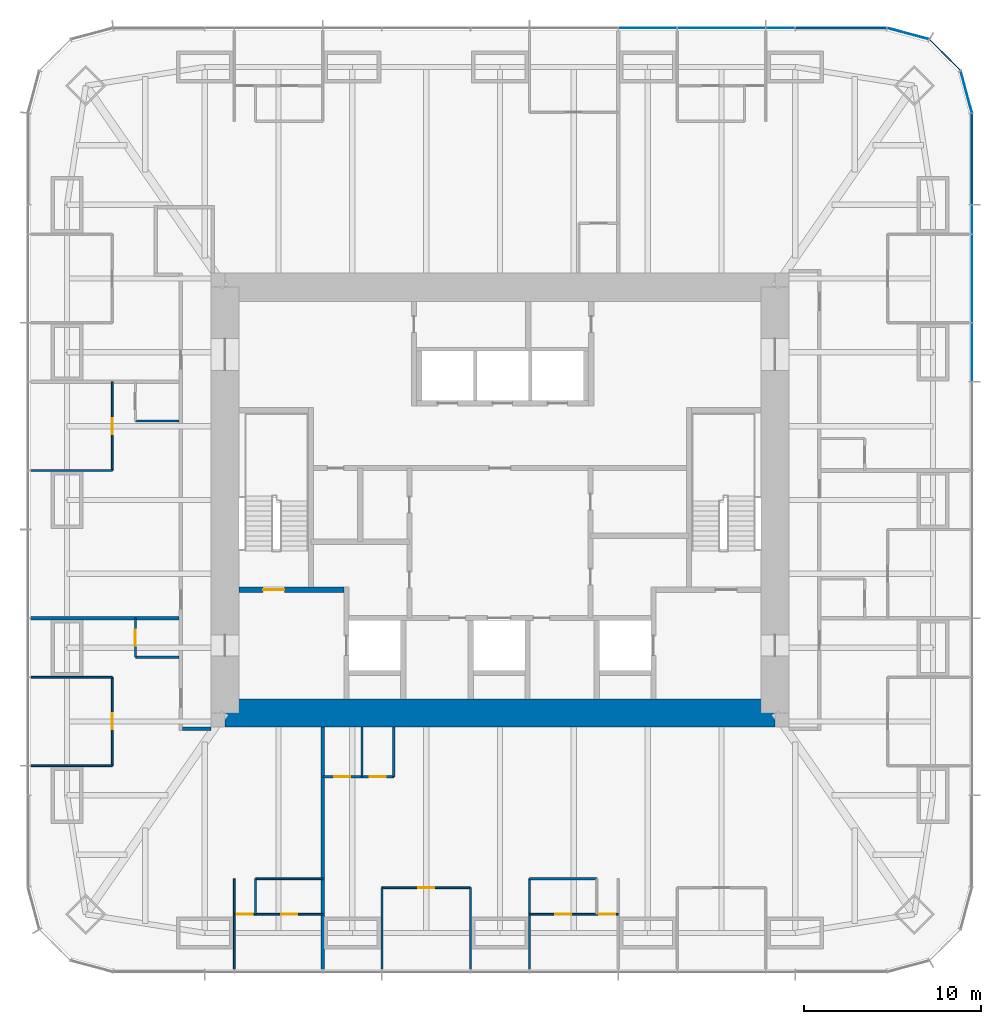
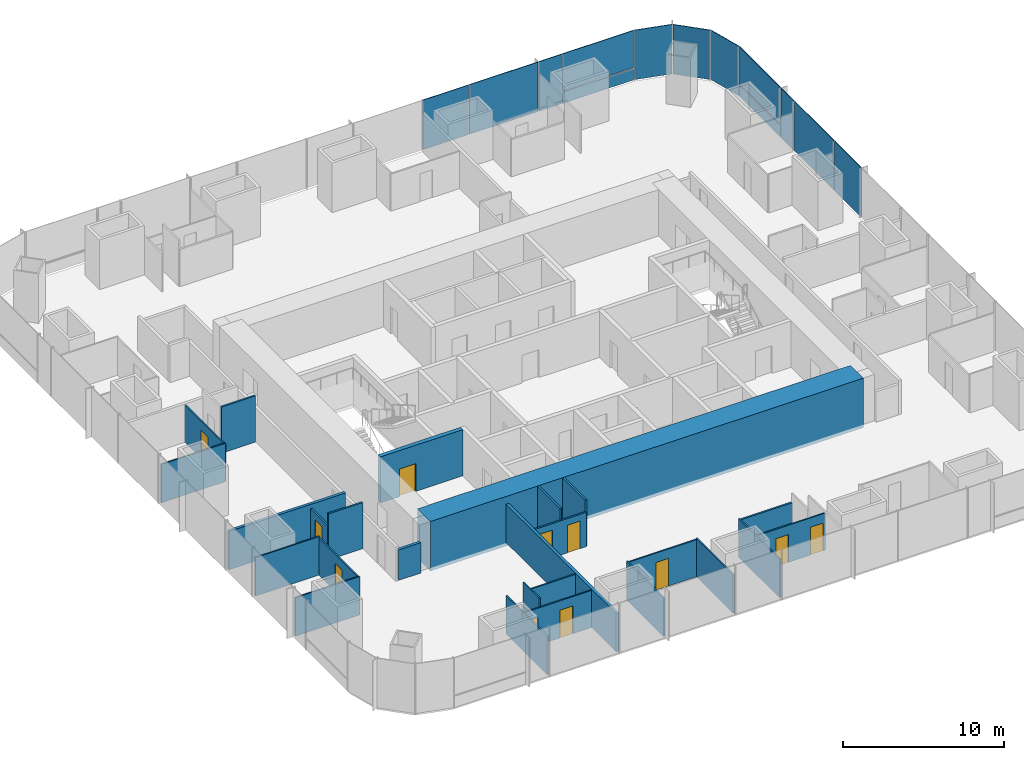
# One storey, part 8 of 12: 26 walls, 13 plates, 11 doors, 11 openings, 3 elements without a shape of their own.
"""IFC4 building model written with IfcOpenShell, lengths in metres."""

import ifcopenshell
import ifcopenshell.guid

model = None  # the IFC model being written
_history = None  # IfcOwnerHistory: only IFC2X3 demands one
_inside = {}  # id of a spatial element -> (the spatial element, [elements in it])
_under = {}  # id of a project, library or spatial element -> (it, [spatial elements below it])
_declared = {}  # id of a project -> (the project, [libraries it declares])
_typed = {}  # id of a type object -> (the type object, [elements of that type])
_made_of = {}  # id of a material, layer set ... -> (it, [elements and type objects made of it])


def new_model(schema):
    """Start an empty IFC model of exactly this schema.

    Asked for "IFC4X3", IfcOpenShell would pick the latest addendum, in which some entities
    have other attributes; the version numbers below select the first issue.
    IFC2X3 requires an IfcOwnerHistory on every rooted entity: one is made here for all.
    """
    global model, _history
    if schema == "IFC4X3":
        model = ifcopenshell.file(schema_version=(4, 3, 0, 0))
    else:
        model = ifcopenshell.file(schema=schema)
    _inside.clear()
    _under.clear()
    _declared.clear()
    _typed.clear()
    _made_of.clear()
    _history = None
    if model.schema == "IFC2X3":
        org = make("IfcOrganization", Name="unknown")
        user = make(
            "IfcPersonAndOrganization",
            ThePerson=make("IfcPerson", FamilyName="unknown"),
            TheOrganization=org,
        )
        app = make(
            "IfcApplication",
            ApplicationDeveloper=org,
            Version="unknown",
            ApplicationFullName="unknown",
            ApplicationIdentifier="unknown",
        )
        _history = make(
            "IfcOwnerHistory",
            OwningUser=user,
            OwningApplication=app,
            ChangeAction="ADDED",
            CreationDate=0,
        )
    return model


def make(cls, **values):
    """One entity of the class cls with the attributes given. An attribute that is None is left unset."""
    return model.create_entity(
        cls, **{name: value for name, value in values.items() if value is not None}
    )


def rooted(cls, **values):
    """An entity with a GlobalId (a new one), such as an element, a storey or a relation."""
    return make(cls, GlobalId=ifcopenshell.guid.new(), OwnerHistory=_history, **values)


def si_unit(unit_type, name, prefix=None):
    """IfcSIUnit, for example si_unit("LENGTHUNIT", "METRE", prefix="MILLI")."""
    return make("IfcSIUnit", UnitType=unit_type, Prefix=prefix, Name=name)


def assignment(units):
    """IfcUnitAssignment: the units of a project."""
    return None if units is None else make("IfcUnitAssignment", Units=units)


def point(xyz):
    """IfcCartesianPoint."""
    return None if xyz is None else make("IfcCartesianPoint", Coordinates=xyz)


def direction(xyz):
    """IfcDirection."""
    return None if xyz is None else make("IfcDirection", DirectionRatios=xyz)


def frame(location, z_axis=None, x_axis=None):
    """IfcAxis2Placement3D, a coordinate frame: its origin and axes. An axis left out is left unset."""
    return make(
        "IfcAxis2Placement3D",
        Location=point(location),
        Axis=direction(z_axis),
        RefDirection=direction(x_axis),
    )


def frame_2d(location, x_axis=None):
    """IfcAxis2Placement2D, a coordinate frame in the plane: its origin and x axis."""
    return make(
        "IfcAxis2Placement2D", Location=point(location), RefDirection=direction(x_axis)
    )


def origin():
    """The frame at (0, 0, 0) with its axes left unset."""
    return frame((0.0, 0.0, 0.0))


def origin_2d():
    """The frame at (0, 0) in the plane with its x axis left unset."""
    return frame_2d((0.0, 0.0))


def place(relative_to, where):
    """IfcLocalPlacement: puts the frame where relative to a parent placement (None: the world)."""
    return make(
        "IfcLocalPlacement", PlacementRelTo=relative_to, RelativePlacement=where
    )


def context(
    kind, dimensions, precision=None, world=None, true_north=None, identifier=None
):
    """IfcGeometricRepresentationContext, for example the 3D "Model" context."""
    return make(
        "IfcGeometricRepresentationContext",
        ContextIdentifier=identifier,
        ContextType=kind,
        CoordinateSpaceDimension=dimensions,
        Precision=precision,
        WorldCoordinateSystem=world,
        TrueNorth=true_north,
    )


def subcontext(parent, identifier, kind, view, scale=None):
    """IfcGeometricRepresentationSubContext, for example "Body" below "Model"."""
    return make(
        "IfcGeometricRepresentationSubContext",
        ContextIdentifier=identifier,
        ContextType=kind,
        ParentContext=parent,
        TargetScale=scale,
        TargetView=view,
    )


def project(units=None, contexts=None):
    """IfcProject with its units and contexts."""
    return rooted(
        "IfcProject",
        Name="project",
        RepresentationContexts=contexts,
        UnitsInContext=assignment(units),
    )


def spatial(cls, under=None, at=None, **own):
    """A site, building, storey or space (cls), placed at a placement, below another one or the project."""
    s = rooted(cls, ObjectPlacement=at, **own)
    if under is not None:
        _under.setdefault(under.id(), (under, []))[1].append(s)
    return s


def profile(cls, at=None, kind="AREA", **sizes):
    """A parametric profile (cls). Its sizes go by their IFC names, for example OverallWidth=200.0."""
    return make(cls, ProfileType=kind, Position=at, **sizes)


def rectangle(**sizes):
    """IfcRectangleProfileDef."""
    return profile("IfcRectangleProfileDef", **sizes)


def extrude(swept, where, along, depth):
    """IfcExtrudedAreaSolid: the profile swept, set in the frame where, extruded along a direction by depth."""
    return make(
        "IfcExtrudedAreaSolid",
        SweptArea=swept,
        Position=where,
        ExtrudedDirection=direction(along),
        Depth=depth,
    )


def shape(context_of_items, identifier, shape_type, items):
    """IfcShapeRepresentation: the items that make up one representation, for example the "Body"."""
    return make(
        "IfcShapeRepresentation",
        ContextOfItems=context_of_items,
        RepresentationIdentifier=identifier,
        RepresentationType=shape_type,
        Items=items,
    )


def material(Name=None, Category=None):
    """IfcMaterial."""
    return make("IfcMaterial", Name=Name, Category=Category)


def layer(
    of_material, thickness, ventilated=None, Name=None, Category=None, Priority=None
):
    """IfcMaterialLayer: one layer of a wall or slab, of a material (None: an air gap)."""
    return make(
        "IfcMaterialLayer",
        Material=of_material,
        LayerThickness=thickness,
        IsVentilated=ventilated,
        Name=Name,
        Category=Category,
        Priority=Priority,
    )


def layer_set(layers, Name=None):
    """IfcMaterialLayerSet."""
    return make("IfcMaterialLayerSet", MaterialLayers=layers, LayerSetName=Name)


def made_of(thing, what):
    """Note that an element or type object is made of a material, layer set ...; save() writes the relation."""
    if what is not None:
        _made_of.setdefault(what.id(), (what, []))[1].append(thing)
    return thing


def type_object(cls, material=None, **own):
    """A type object (cls), such as IfcWallType, which elements share."""
    return made_of(rooted(cls, **own), material)


def element(
    cls,
    number,
    at=None,
    inside=None,
    cuts=None,
    type_object=None,
    material=None,
    context=None,
    identifier="Body",
    shape_type=None,
    held_by="IfcProductDefinitionShape",
    body=None,
    shapes=None,
    **own,
):
    """One element of the class cls, such as IfcWall. Its Tag is "e" and its number.

    at: its placement. inside: the storey or other place that contains it. cuts: it is an
    opening in that element (IfcRelVoidsElement). A single representation is given by context,
    identifier, shape_type and body (its items); several are given by shapes. held_by: the class
    of the entity that holds the representations. save() writes the other relations.
    """
    e = rooted(cls, Tag="e%d" % number, ObjectPlacement=at, **own)
    if body is not None:
        shapes = [shape(context, identifier, shape_type, body)]
    if shapes is not None:
        e.Representation = make(held_by, Representations=shapes)
    if inside is not None:
        _inside.setdefault(inside.id(), (inside, []))[1].append(e)
    if cuts is not None:
        rooted(
            "IfcRelVoidsElement", RelatingBuildingElement=cuts, RelatedOpeningElement=e
        )
    if type_object is not None:
        _typed.setdefault(type_object.id(), (type_object, []))[1].append(e)
    return made_of(e, material)


def fill(opening, filler):
    """IfcRelFillsElement: the door or window that sits in an opening."""
    return rooted(
        "IfcRelFillsElement",
        RelatingOpeningElement=opening,
        RelatedBuildingElement=filler,
    )


def aggregate(whole, parts):
    """IfcRelAggregates: a whole, such as a stair, and the parts it consists of."""
    return rooted("IfcRelAggregates", RelatingObject=whole, RelatedObjects=parts)


def save(model, path):
    """Write the relations noted so far, then the file.

    IfcRelAggregates (storeys below a building ...), IfcRelContainedInSpatialStructure (elements
    in a storey), IfcRelDefinesByType, IfcRelAssociatesMaterial and IfcRelDeclares: one each for
    every whole, place, type object, material and project.
    """
    for whole, parts in _under.values():
        aggregate(whole, parts)
    for where, things in _inside.values():
        rooted(
            "IfcRelContainedInSpatialStructure",
            RelatedElements=things,
            RelatingStructure=where,
        )
    for kind, things in _typed.values():
        rooted("IfcRelDefinesByType", RelatedObjects=things, RelatingType=kind)
    for what, things in _made_of.values():
        rooted("IfcRelAssociatesMaterial", RelatedObjects=things, RelatingMaterial=what)
    for by, libraries in _declared.values():
        rooted("IfcRelDeclares", RelatingContext=by, RelatedDefinitions=libraries)
    model.write(path)


model = new_model("IFC4")

# Units and contexts
model_context = context("Model", 3, precision=1e-05, world=origin(), true_north=direction((0.0, 1.0)))
body_context = subcontext(model_context, "Body", "Model", "MODEL_VIEW")
ifc_project = project(units=[si_unit("LENGTHUNIT", "METRE"), si_unit("AREAUNIT", "SQUARE_METRE"), si_unit("VOLUMEUNIT", "CUBIC_METRE"), si_unit("PLANEANGLEUNIT", "RADIAN"), si_unit("MASSUNIT", "GRAM", prefix="KILO")], contexts=[model_context])

# Site, building, storey
site_placement = place(None, origin())
site = spatial("IfcSite", under=ifc_project, at=site_placement, CompositionType="ELEMENT")
building_placement = place(site_placement, origin())
building = spatial("IfcBuilding", under=site, at=building_placement, Name="Khuree Lantern Residences", CompositionType="ELEMENT")
storey_placement = place(building_placement, frame((0.0, 0.0, 203.25)))
storey = spatial("IfcBuildingStorey", under=building, at=storey_placement, Name="L50", CompositionType="ELEMENT", Elevation=203.25)

# Curtain wall, plates
ifc_material_1 = material(Name="Bronze anodised aluminium", Category="aluminium")
curtain_wall_type_1 = type_object("IfcCurtainWallType", Name="CW-T2 TOWER CORNER CURTAIN WALL", PredefinedType="USERDEFINED", material=ifc_material_1)
curtain_wall_1_placement = place(storey_placement, origin())
curtain_wall_1 = element("IfcCurtainWall", 1, at=curtain_wall_1_placement, inside=storey, type_object=curtain_wall_type_1, Name="L50 NORTH-EAST CORNER CURTAIN WALL", ObjectType="Faceted corner curtain wall", PredefinedType="USERDEFINED")
ifc_material_2 = material(Name="Bronze tinted triple glazing", Category="glass")
ifc_layer_1 = layer(ifc_material_2, 0.048095703125)
ifc_layer_set_1 = layer_set([ifc_layer_1], Name="FACET PANEL P4")
plate_type_1 = type_object("IfcPlateType", Name="FACET PANEL P4", PredefinedType="CURTAIN_PANEL", material=ifc_layer_set_1)
plate_1_placement = place(storey_placement, frame((26.279052734375, 22.998046875, 0.0), z_axis=(0.0, 0.0, 1.0), x_axis=(-0.258819021888, 0.965925832509, 0.0)))
plate_1 = element("IfcPlate", 2, at=plate_1_placement, type_object=plate_type_1, Name="L50 NORTH-EAST CORNER PANEL 15.1", PredefinedType="CURTAIN_PANEL", context=body_context, shape_type="SweptSolid", body=[
    extrude(rectangle(XDim=2.40869140625, YDim=0.048095703125, at=origin_2d()), origin(), (0.0, 0.0, 1.0), 3.75),
])
plate_2_placement = place(storey_placement, frame((25.078369140625, 25.078369140625, 0.0), z_axis=(0.0, 0.0, 1.0), x_axis=(-0.707106781187, 0.707106781187, 0.0)))
plate_2 = element("IfcPlate", 3, at=plate_2_placement, type_object=plate_type_1, Name="L50 NORTH-EAST CORNER PANEL 16.1", PredefinedType="CURTAIN_PANEL", context=body_context, shape_type="SweptSolid", body=[
    extrude(rectangle(XDim=2.404541015625, YDim=0.048095703125, at=origin_2d()), origin(), (0.0, 0.0, 1.0), 3.75),
])
plate_3_placement = place(storey_placement, frame((22.998046875, 26.279052734375, 0.0), z_axis=(0.0, 0.0, 1.0), x_axis=(-0.965925832509, 0.258819021888, 0.0)))
plate_3 = element("IfcPlate", 4, at=plate_3_placement, type_object=plate_type_1, Name="L50 NORTH-EAST CORNER PANEL 17.1", PredefinedType="CURTAIN_PANEL", context=body_context, shape_type="SweptSolid", body=[
    extrude(rectangle(XDim=2.40869140625, YDim=0.048095703125, at=origin_2d()), origin(), (0.0, 0.0, 1.0), 3.75),
])
aggregate(curtain_wall_1, [plate_1, plate_2, plate_3])

# Curtain wall, plate
curtain_wall_type_2 = type_object("IfcCurtainWallType", Name="CW-T1 TOWER FACE CURTAIN WALL", PredefinedType="USERDEFINED", material=ifc_material_1)
curtain_wall_2_placement = place(storey_placement, origin())
curtain_wall_2 = element("IfcCurtainWall", 5, at=curtain_wall_2_placement, inside=storey, type_object=curtain_wall_type_2, Name="L50 EAST FACE CURTAIN WALL", ObjectType="Stick-built curtain wall", PredefinedType="USERDEFINED")
ifc_material_3 = material(Name="Bronze tinted triple glazing with a ceramic-fritted spandrel band", Category="glass")
ifc_layer_2 = layer(ifc_material_3, 0.048095703125)
ifc_layer_set_2 = layer_set([ifc_layer_2], Name="FIXED LIGHT PANEL P11")
plate_type_2 = type_object("IfcPlateType", Name="FIXED LIGHT PANEL P11", PredefinedType="CURTAIN_PANEL", material=ifc_layer_set_2)
plate_4_placement = place(storey_placement, frame((26.60009765625, 12.47998046875, 0.0), z_axis=(0.0, 0.0, 1.0), x_axis=(0.0, 1.0, 0.0)))
plate_4 = element("IfcPlate", 6, at=plate_4_placement, type_object=plate_type_2, Name="L50 EAST FACE PANEL 12.1", PredefinedType="CURTAIN_PANEL", context=body_context, shape_type="SweptSolid", body=[
    extrude(rectangle(XDim=4.927001953125, YDim=0.048095703125, at=origin_2d()), origin(), (0.0, 0.0, 1.0), 3.75),
])

curtain_wall_3_placement = place(storey_placement, origin())
curtain_wall_3 = element("IfcCurtainWall", 7, at=curtain_wall_3_placement, inside=storey, type_object=curtain_wall_type_2, Name="L50 NORTH FACE CURTAIN WALL", ObjectType="Stick-built curtain wall", PredefinedType="USERDEFINED")
plate_5_placement = place(storey_placement, frame((12.47998046875, 26.60009765625, 0.0), z_axis=(0.0, 0.0, 1.0), x_axis=(-1.0, 0.0, 0.0)))
plate_5 = element("IfcPlate", 8, at=plate_5_placement, type_object=plate_type_2, Name="L50 NORTH FACE PANEL 20.1", PredefinedType="CURTAIN_PANEL", context=body_context, shape_type="SweptSolid", body=[
    extrude(rectangle(XDim=4.927001953125, YDim=0.048095703125, at=origin_2d()), origin(), (0.0, 0.0, 1.0), 3.75),
])

# Plate
ifc_material_4 = material(Name="Bronze tinted triple glazing, two aluminium-framed sashes in one frame", Category="aluminium")
ifc_layer_3 = layer(ifc_material_4, 0.048095703125)
ifc_layer_set_3 = layer_set([ifc_layer_3], Name="SASH PAIR PANEL P12")
plate_type_3 = type_object("IfcPlateType", Name="SASH PAIR PANEL P12", PredefinedType="CURTAIN_PANEL", material=ifc_layer_set_3)
plate_6_placement = place(storey_placement, frame((26.60009765625, 8.320068359375, 0.0), z_axis=(0.0, 0.0, 1.0), x_axis=(0.0, 1.0, 0.0)))
plate_6 = element("IfcPlate", 9, at=plate_6_placement, type_object=plate_type_3, Name="L50 EAST FACE PANEL 11.1", PredefinedType="CURTAIN_PANEL", context=body_context, shape_type="SweptSolid", body=[
    extrude(rectangle(XDim=3.262939453125, YDim=0.048095703125, at=origin_2d()), origin(), (0.0, 0.0, 1.0), 3.75),
])

plate_7_placement = place(storey_placement, frame((8.320068359375, 26.60009765625, 0.0), z_axis=(0.0, 0.0, 1.0), x_axis=(-1.0, 0.0, 0.0)))
plate_7 = element("IfcPlate", 10, at=plate_7_placement, type_object=plate_type_3, Name="L50 NORTH FACE PANEL 21.1", PredefinedType="CURTAIN_PANEL", context=body_context, shape_type="SweptSolid", body=[
    extrude(rectangle(XDim=3.262939453125, YDim=0.048095703125, at=origin_2d()), origin(), (0.0, 0.0, 1.0), 3.75),
])

ifc_material_5 = material(Name="Bronze tinted triple glazing, aluminium-framed sash", Category="aluminium")
ifc_layer_4 = layer(ifc_material_5, 0.048095703125)
ifc_layer_set_4 = layer_set([ifc_layer_4], Name="SASH PANEL P3")
plate_type_4 = type_object("IfcPlateType", Name="SASH PANEL P3", PredefinedType="CURTAIN_PANEL", material=ifc_layer_set_4)
plate_8_placement = place(storey_placement, frame((26.60009765625, 15.80810546875, 0.0), z_axis=(0.0, 0.0, 1.0), x_axis=(0.0, 1.0, 0.0)))
plate_8 = element("IfcPlate", 11, at=plate_8_placement, type_object=plate_type_4, Name="L50 EAST FACE PANEL 13.1", PredefinedType="CURTAIN_PANEL", context=body_context, shape_type="SweptSolid", body=[
    extrude(rectangle(XDim=1.59912109375, YDim=0.048095703125, at=origin_2d()), origin(), (0.0, 0.0, 1.0), 3.75),
])

plate_9_placement = place(storey_placement, frame((15.80810546875, 26.60009765625, 0.0), z_axis=(0.0, 0.0, 1.0), x_axis=(-1.0, 0.0, 0.0)))
plate_9 = element("IfcPlate", 12, at=plate_9_placement, type_object=plate_type_4, Name="L50 NORTH FACE PANEL 19.1", PredefinedType="CURTAIN_PANEL", context=body_context, shape_type="SweptSolid", body=[
    extrude(rectangle(XDim=1.59912109375, YDim=0.048095703125, at=origin_2d()), origin(), (0.0, 0.0, 1.0), 3.75),
])

ifc_material_6 = material(Name="Bronze anodised aluminium insulated spandrel", Category="aluminium")
ifc_layer_5 = layer(ifc_material_6, 0.06005859375)
ifc_layer_set_5 = layer_set([ifc_layer_5], Name="SPANDREL PANEL P2")
plate_type_5 = type_object("IfcPlateType", Name="SPANDREL PANEL P2", PredefinedType="CURTAIN_PANEL", material=ifc_layer_set_5)
plate_10_placement = place(storey_placement, frame((26.60009765625, 19.2177734375, 0.0), z_axis=(0.0, 0.0, 1.0), x_axis=(0.0, 1.0, 0.0)))
plate_10 = element("IfcPlate", 13, at=plate_10_placement, type_object=plate_type_5, Name="L50 EAST FACE PANEL 14.1", PredefinedType="CURTAIN_PANEL", context=body_context, shape_type="SweptSolid", body=[
    extrude(rectangle(XDim=5.0908203125, YDim=0.06005859375, at=origin_2d()), origin(), (0.0, 0.0, 1.0), 0.867431640625),
])

plate_11_placement = place(storey_placement, frame((19.2177734375, 26.60009765625, 0.0), z_axis=(0.0, 0.0, 1.0), x_axis=(-1.0, 0.0, 0.0)))
plate_11 = element("IfcPlate", 14, at=plate_11_placement, type_object=plate_type_5, Name="L50 NORTH FACE PANEL 18.1", PredefinedType="CURTAIN_PANEL", context=body_context, shape_type="SweptSolid", body=[
    extrude(rectangle(XDim=5.0908203125, YDim=0.06005859375, at=origin_2d()), origin(), (0.0, 0.0, 1.0), 0.867431640625),
])

ifc_layer_6 = layer(ifc_material_2, 0.048095703125)
ifc_layer_set_6 = layer_set([ifc_layer_6], Name="VISION PANEL P1")
plate_type_6 = type_object("IfcPlateType", Name="VISION PANEL P1", PredefinedType="CURTAIN_PANEL", material=ifc_layer_set_6)
plate_12_placement = place(storey_placement, frame((26.60009765625, 19.21826171875, 0.9326171875), z_axis=(0.0, 0.0, 1.0), x_axis=(0.0, 1.0, 0.0)))
plate_12 = element("IfcPlate", 15, at=plate_12_placement, type_object=plate_type_6, Name="L50 EAST FACE PANEL 14.2", PredefinedType="CURTAIN_PANEL", context=body_context, shape_type="SweptSolid", body=[
    extrude(rectangle(XDim=5.091552734375, YDim=0.048095703125, at=origin_2d()), origin(), (0.0, 0.0, 1.0), 2.8173828125),
])

aggregate(curtain_wall_2, [plate_6, plate_4, plate_8, plate_10, plate_12])

plate_13_placement = place(storey_placement, frame((19.21826171875, 26.60009765625, 0.9326171875), z_axis=(0.0, 0.0, 1.0), x_axis=(-1.0, 0.0, 0.0)))
plate_13 = element("IfcPlate", 16, at=plate_13_placement, type_object=plate_type_6, Name="L50 NORTH FACE PANEL 18.2", PredefinedType="CURTAIN_PANEL", context=body_context, shape_type="SweptSolid", body=[
    extrude(rectangle(XDim=5.091552734375, YDim=0.048095703125, at=origin_2d()), origin(), (0.0, 0.0, 1.0), 2.8173828125),
])

aggregate(curtain_wall_3, [plate_11, plate_13, plate_9, plate_5, plate_7])

# Wall
ifc_material_7 = material(Name="Moisture-resistant gypsum board on steel studs", Category="steel")
ifc_layer_7 = layer(ifc_material_7, 0.125)
ifc_layer_set_7 = layer_set([ifc_layer_7], Name="BATHROOM WALL BTW125")
wall_type_1 = type_object("IfcWallType", Name="BATHROOM WALL BTW125", PredefinedType="PARTITIONING", material=ifc_layer_set_7)
wall_1_placement = place(storey_placement, frame((-18.10009765625, 4.4560546875, 0.0), z_axis=(0.0, 0.0, 1.0), x_axis=(-1.0, 0.0, 0.0)))
element("IfcWall", 17, at=wall_1_placement, inside=storey, type_object=wall_type_1, Name="L50 BATHROOM WALL 04", PredefinedType="PARTITIONING", context=body_context, shape_type="SweptSolid", body=[
    extrude(rectangle(XDim=2.449951171875, YDim=0.125, at=frame_2d((1.22509765625, 0.0))), origin(), (0.0, 0.0, 1.0), 3.5),
])

# Wall, opening, door
wall_2_placement = place(storey_placement, frame((-20.550048828125, -6.656005859375, 0.0), z_axis=(0.0, 0.0, 1.0), x_axis=(0.0, -1.0, 0.0)))
wall_2 = element("IfcWall", 18, at=wall_2_placement, inside=storey, type_object=wall_type_1, Name="L50 BATHROOM WALL 05", PredefinedType="PARTITIONING", context=body_context, shape_type="SweptSolid", body=[
    extrude(rectangle(XDim=2.199951171875, YDim=0.125, at=frame_2d((1.10009765625, 0.0))), origin(), (0.0, 0.0, 1.0), 2.60009765625),
])
opening_1_placement = place(wall_2_placement, frame((0.64990234375, 0.0, 0.0)))
opening_1 = element("IfcOpeningElement", 19, at=opening_1_placement, cuts=wall_2, Name="Opening 50-043", PredefinedType="OPENING", context=body_context, shape_type="SweptSolid", body=[
    extrude(rectangle(XDim=0.89990234375, YDim=2.10009765625, at=frame_2d((0.449951171875, 1.050048828125))), frame((0.0, 0.072509765625, 0.0), z_axis=(0.0, -1.0, 0.0), x_axis=(1.0, 0.0, 0.0)), (0.0, 0.0, 1.0), 0.14501953125),
])
ifc_material_8 = material(Name="Timber door leaf in hardwood frame", Category="wood")
door_type_1 = type_object("IfcDoorType", Name="BATHROOM DOOR 900X2100", OperationType="SINGLE_SWING_LEFT", PredefinedType="DOOR", material=ifc_material_8)
door_1_placement = place(opening_1_placement, origin())
door_1 = element("IfcDoor", 20, at=door_1_placement, inside=storey, type_object=door_type_1, Name="Bathroom door 50-043", OperationType="SINGLE_SWING_LEFT", OverallHeight=2.10009765625, OverallWidth=0.89990234375, PredefinedType="DOOR", context=body_context, shape_type="SweptSolid", body=[
    extrude(rectangle(XDim=0.89990234375, YDim=2.10009765625, at=frame_2d((0.449951171875, 1.050048828125))), frame((0.0, 0.02490234375, 0.0), z_axis=(0.0, -1.0, 0.0), x_axis=(1.0, 0.0, 0.0)), (0.0, 0.0, 1.0), 0.050048828125),
])
fill(opening_1, door_1)

# Walls
wall_3_placement = place(storey_placement, frame((-18.10009765625, -8.85595703125, 0.0), z_axis=(0.0, 0.0, 1.0), x_axis=(-1.0, 0.0, 0.0)))
element("IfcWall", 21, at=wall_3_placement, inside=storey, type_object=wall_type_1, Name="L50 BATHROOM WALL 05", PredefinedType="PARTITIONING", context=body_context, shape_type="SweptSolid", body=[
    extrude(rectangle(XDim=2.449951171875, YDim=0.125, at=frame_2d((1.22509765625, 0.0))), origin(), (0.0, 0.0, 1.0), 3.5),
])
wall_4_placement = place(storey_placement, frame((1.6640625, -21.344970703125, 0.0), z_axis=(0.0, 0.0, 1.0), x_axis=(1.0, 0.0, 0.0)))
element("IfcWall", 22, at=wall_4_placement, inside=storey, type_object=wall_type_1, Name="L50 BATHROOM WALL 06", PredefinedType="PARTITIONING", context=body_context, shape_type="SweptSolid", body=[
    extrude(rectangle(XDim=3.7919921875, YDim=0.125, at=frame_2d((1.89599609375, 0.0))), origin(), (0.0, 0.0, 1.0), 2.81005859375),
])

# Wall, openings, doors
wall_5_placement = place(storey_placement, frame((-9.98388671875, -15.60009765625, 0.0), z_axis=(0.0, 0.0, 1.0), x_axis=(1.0, 0.0, 0.0)))
wall_5 = element("IfcWall", 23, at=wall_5_placement, inside=storey, type_object=wall_type_1, Name="L50 BATHROOM WALL 06", PredefinedType="PARTITIONING", context=body_context, shape_type="SweptSolid", body=[
    extrude(rectangle(XDim=4.0, YDim=0.125, at=frame_2d((2.0, 0.0))), origin(), (0.0, 0.0, 1.0), 2.60009765625),
])
opening_2_placement = place(wall_5_placement, frame((0.64990234375, 0.0, 0.0)))
opening_2 = element("IfcOpeningElement", 24, at=opening_2_placement, cuts=wall_5, Name="Opening 50-050", PredefinedType="OPENING", context=body_context, shape_type="SweptSolid", body=[
    extrude(rectangle(XDim=0.89990234375, YDim=2.10009765625, at=frame_2d((0.449951171875, 1.050048828125))), frame((0.0, 0.072509765625, 0.0), z_axis=(0.0, -1.0, 0.0), x_axis=(1.0, 0.0, 0.0)), (0.0, 0.0, 1.0), 0.14501953125),
])
opening_3_placement = place(wall_5_placement, frame((2.64990234375, 0.0, 0.0)))
opening_3 = element("IfcOpeningElement", 25, at=opening_3_placement, cuts=wall_5, Name="Opening 50-051", PredefinedType="OPENING", context=body_context, shape_type="SweptSolid", body=[
    extrude(rectangle(XDim=0.89990234375, YDim=2.10009765625, at=frame_2d((0.449951171875, 1.050048828125))), frame((0.0, 0.072509765625, 0.0), z_axis=(0.0, -1.0, 0.0), x_axis=(1.0, 0.0, 0.0)), (0.0, 0.0, 1.0), 0.14501953125),
])
door_2_placement = place(opening_2_placement, origin())
door_2 = element("IfcDoor", 26, at=door_2_placement, inside=storey, type_object=door_type_1, Name="Bathroom door 50-050", OperationType="SINGLE_SWING_LEFT", OverallHeight=2.10009765625, OverallWidth=0.89990234375, PredefinedType="DOOR", context=body_context, shape_type="SweptSolid", body=[
    extrude(rectangle(XDim=0.89990234375, YDim=2.10009765625, at=frame_2d((0.449951171875, 1.050048828125))), frame((0.0, 0.02490234375, 0.0), z_axis=(0.0, -1.0, 0.0), x_axis=(1.0, 0.0, 0.0)), (0.0, 0.0, 1.0), 0.050048828125),
])
fill(opening_2, door_2)
door_type_2 = type_object("IfcDoorType", Name="DOOR 900X2100", OperationType="SINGLE_SWING_LEFT", PredefinedType="DOOR", material=ifc_material_8)
door_3_placement = place(opening_3_placement, origin())
door_3 = element("IfcDoor", 27, at=door_3_placement, inside=storey, type_object=door_type_2, Name="Store door 50-051", OperationType="SINGLE_SWING_LEFT", OverallHeight=2.10009765625, OverallWidth=0.89990234375, PredefinedType="DOOR", context=body_context, shape_type="SweptSolid", body=[
    extrude(rectangle(XDim=0.89990234375, YDim=2.10009765625, at=frame_2d((0.449951171875, 1.050048828125))), frame((0.0, 0.02490234375, 0.0), z_axis=(0.0, -1.0, 0.0), x_axis=(1.0, 0.0, 0.0)), (0.0, 0.0, 1.0), 0.050048828125),
])
fill(opening_3, door_3)

# Walls
for number, where, z_axis, x_axis, name in (
    (28, (-7.783935546875, -12.800048828125, 0.0), (0.0, 0.0, 1.0), (0.0, -1.0, 0.0), "L50 BATHROOM WALL 06"),
    (29, (-5.98388671875, -12.800048828125, 0.0), (0.0, 0.0, 1.0), (0.0, -1.0, 0.0), "L50 BATHROOM WALL 06"),
):
    element("IfcWall", number, at=place(storey_placement, frame(where, z_axis=z_axis, x_axis=x_axis)), inside=storey, type_object=wall_type_1, Name=name, PredefinedType="PARTITIONING", context=body_context, shape_type="SweptSolid", body=[
        extrude(rectangle(XDim=2.800048828125, YDim=0.125, at=frame_2d((1.39990234375, 0.0))), origin(), (0.0, 0.0, 1.0), 3.5),
    ])
ifc_material_9 = material(Name="Gypsum board on steel studs", Category="steel")
ifc_layer_8 = layer(ifc_material_9, 0.199951171875)
ifc_layer_set_8 = layer_set([ifc_layer_8], Name="CORRIDOR WALL CRW200 EI 60")
wall_type_2 = type_object("IfcWallType", Name="CORRIDOR WALL CRW200 EI 60", PredefinedType="PARTITIONING", material=ifc_layer_set_8)
wall_6_placement = place(storey_placement, frame((-16.300048828125, -12.89990234375, 0.0), z_axis=(0.0, 0.0, 1.0), x_axis=(-1.0, 0.0, 0.0)))
element("IfcWall", 30, at=wall_6_placement, inside=storey, type_object=wall_type_2, Name="L50 WEST CORRIDOR SOUTH END WALL", PredefinedType="PARTITIONING", context=body_context, shape_type="SweptSolid", body=[
    extrude(rectangle(XDim=1.599853515625, YDim=0.199951171875, at=frame_2d((0.7998046875, 0.0))), origin(), (0.0, 0.0, 1.0), 2.300048828125),
])
ifc_material_10 = material(Name="Concrete C50/60", Category="concrete")
ifc_layer_9 = layer(ifc_material_10, 1.60009765625)
ifc_layer_set_9 = layer_set([ifc_layer_9], Name="CW1600-C50 CORE WALL C50 1600")
wall_type_3 = type_object("IfcWallType", Name="CW1600-C50 CORE WALL C50 1600", PredefinedType="SHEAR", material=ifc_layer_set_9)
wall_7_placement = place(storey_placement, frame((-15.5, -12.0, -0.25), z_axis=(0.0, 0.0, 1.0), x_axis=(1.0, 0.0, 0.0)))
element("IfcWall", 31, at=wall_7_placement, inside=storey, type_object=wall_type_3, Name="Core wall S", PredefinedType="SHEAR", context=body_context, shape_type="SweptSolid", body=[
    extrude(rectangle(XDim=31.0, YDim=1.60009765625, at=frame_2d((15.5, 0.0))), origin(), (0.0, 0.0, 1.0), 3.75),
])
ifc_layer_10 = layer(ifc_material_9, 0.199951171875)
ifc_layer_set_10 = layer_set([ifc_layer_10], Name="DEMISING WALL DMW200 EI 90")
wall_type_4 = type_object("IfcWallType", Name="DEMISING WALL DMW200 EI 90", PredefinedType="PARTITIONING", material=ifc_layer_set_10)
wall_8_placement = place(storey_placement, frame((-18.10009765625, -6.656005859375, 0.0), z_axis=(0.0, 0.0, 1.0), x_axis=(-1.0, 0.0, 0.0)))
element("IfcWall", 32, at=wall_8_placement, inside=storey, type_object=wall_type_4, Name="L50 DEMISING WALL 05", PredefinedType="PARTITIONING", context=body_context, shape_type="SweptSolid", body=[
    extrude(rectangle(XDim=8.349853515625, YDim=0.199951171875, at=frame_2d((4.1748046875, 0.0))), origin(), (0.0, 0.0, 1.0), 2.909912109375),
])
wall_9_placement = place(storey_placement, frame((-9.98388671875, -12.800048828125, 0.0), z_axis=(0.0, 0.0, 1.0), x_axis=(0.0, -1.0, 0.0)))
element("IfcWall", 33, at=wall_9_placement, inside=storey, type_object=wall_type_4, Name="L50 DEMISING WALL 06", PredefinedType="PARTITIONING", context=body_context, shape_type="SweptSolid", body=[
    extrude(rectangle(XDim=13.64990234375, YDim=0.199951171875, at=frame_2d((6.824951171875, 0.0))), origin(), (0.0, 0.0, 1.0), 2.909912109375),
])
ifc_layer_11 = layer(ifc_material_9, 0.10009765625)
ifc_layer_set_11 = layer_set([ifc_layer_11], Name="PARTITION PT100")
wall_type_5 = type_object("IfcWallType", Name="PARTITION PT100", PredefinedType="PARTITIONING", material=ifc_layer_set_11)
for number, where, z_axis, x_axis, name in (
    (34, (-21.85009765625, 1.6640625, 0.0), (0.0, 0.0, 1.0), (-1.0, 0.0, 0.0), "L50 PARTITION 04"),
    (35, (-21.85009765625, -9.98388671875, 0.0), (0.0, 0.0, 1.0), (-1.0, 0.0, 0.0), "L50 PARTITION 05"),
    (36, (-21.85009765625, -14.97607421875, 0.0), (0.0, 0.0, 1.0), (-1.0, 0.0, 0.0), "L50 PARTITION 05"),
):
    element("IfcWall", number, at=place(storey_placement, frame(where, z_axis=z_axis, x_axis=x_axis)), inside=storey, type_object=wall_type_5, Name=name, PredefinedType="PARTITIONING", context=body_context, shape_type="SweptSolid", body=[
        extrude(rectangle(XDim=4.599853515625, YDim=0.10009765625, at=frame_2d((2.2998046875, 0.0))), origin(), (0.0, 0.0, 1.0), 2.909912109375),
    ])
wall_10_placement = place(storey_placement, frame((-14.97607421875, -21.344970703125, 0.0), z_axis=(0.0, 0.0, 1.0), x_axis=(0.0, -1.0, 0.0)))
element("IfcWall", 37, at=wall_10_placement, inside=storey, type_object=wall_type_5, Name="L50 PARTITION 05", PredefinedType="PARTITIONING", context=body_context, shape_type="SweptSolid", body=[
    extrude(rectangle(XDim=5.10498046875, YDim=0.10009765625, at=frame_2d((2.552490234375, 0.0))), origin(), (0.0, 0.0, 1.0), 2.909912109375),
])
for number, where, z_axis, x_axis, name in (
    (38, (-6.656005859375, -21.85009765625, 0.0), (0.0, 0.0, 1.0), (0.0, -1.0, 0.0), "L50 PARTITION 06"),
    (39, (-1.6640625, -21.85009765625, 0.0), (0.0, 0.0, 1.0), (0.0, -1.0, 0.0), "L50 PARTITION 06"),
):
    element("IfcWall", number, at=place(storey_placement, frame(where, z_axis=z_axis, x_axis=x_axis)), inside=storey, type_object=wall_type_5, Name=name, PredefinedType="PARTITIONING", context=body_context, shape_type="SweptSolid", body=[
        extrude(rectangle(XDim=4.599853515625, YDim=0.10009765625, at=frame_2d((2.2998046875, 0.0))), origin(), (0.0, 0.0, 1.0), 2.909912109375),
    ])
wall_11_placement = place(storey_placement, frame((1.6640625, -21.344970703125, 0.0), z_axis=(0.0, 0.0, 1.0), x_axis=(0.0, -1.0, 0.0)))
element("IfcWall", 40, at=wall_11_placement, inside=storey, type_object=wall_type_5, Name="L50 PARTITION 06", PredefinedType="PARTITIONING", context=body_context, shape_type="SweptSolid", body=[
    extrude(rectangle(XDim=5.10498046875, YDim=0.10009765625, at=frame_2d((2.552490234375, 0.0))), origin(), (0.0, 0.0, 1.0), 2.909912109375),
])

# Wall, opening, door
wall_12_placement = place(storey_placement, frame((-21.85009765625, 6.656005859375, 0.0), z_axis=(0.0, 0.0, 1.0), x_axis=(0.0, -1.0, 0.0)))
wall_12 = element("IfcWall", 41, at=wall_12_placement, inside=storey, type_object=wall_type_5, Name="L50 PARTITION 04", PredefinedType="PARTITIONING", context=body_context, shape_type="SweptSolid", body=[
    extrude(rectangle(XDim=4.991943359375, YDim=0.10009765625, at=frame_2d((2.49609375, 0.0))), origin(), (0.0, 0.0, 1.0), 2.81005859375),
])
opening_4_placement = place(wall_12_placement, frame((2.0458984375, 0.0, 0.0)))
opening_4 = element("IfcOpeningElement", 42, at=opening_4_placement, cuts=wall_12, Name="Opening 50-037", PredefinedType="OPENING", context=body_context, shape_type="SweptSolid", body=[
    extrude(rectangle(XDim=0.89990234375, YDim=2.10009765625, at=frame_2d((0.449951171875, 1.050048828125))), frame((0.0, 0.06005859375, 0.0), z_axis=(0.0, -1.0, 0.0), x_axis=(1.0, 0.0, 0.0)), (0.0, 0.0, 1.0), 0.1201171875),
])
door_type_3 = type_object("IfcDoorType", Name="BEDROOM DOOR 900X2100", OperationType="SINGLE_SWING_LEFT", PredefinedType="DOOR", material=ifc_material_8)
door_4_placement = place(opening_4_placement, origin())
door_4 = element("IfcDoor", 43, at=door_4_placement, inside=storey, type_object=door_type_3, Name="Bedroom door 50-037", OperationType="SINGLE_SWING_LEFT", OverallHeight=2.10009765625, OverallWidth=0.89990234375, PredefinedType="DOOR", context=body_context, shape_type="SweptSolid", body=[
    extrude(rectangle(XDim=0.89990234375, YDim=2.10009765625, at=frame_2d((0.449951171875, 1.050048828125))), frame((0.0, 0.02490234375, 0.0), z_axis=(0.0, -1.0, 0.0), x_axis=(1.0, 0.0, 0.0)), (0.0, 0.0, 1.0), 0.050048828125),
])
fill(opening_4, door_4)

wall_13_placement = place(storey_placement, frame((-21.85009765625, -9.98388671875, 0.0), z_axis=(0.0, 0.0, 1.0), x_axis=(0.0, -1.0, 0.0)))
wall_13 = element("IfcWall", 44, at=wall_13_placement, inside=storey, type_object=wall_type_5, Name="L50 PARTITION 05", PredefinedType="PARTITIONING", context=body_context, shape_type="SweptSolid", body=[
    extrude(rectangle(XDim=4.9921875, YDim=0.10009765625, at=frame_2d((2.49609375, 0.0))), origin(), (0.0, 0.0, 1.0), 2.81005859375),
])
opening_5_placement = place(wall_13_placement, frame((2.0458984375, 0.0, 0.0)))
opening_5 = element("IfcOpeningElement", 45, at=opening_5_placement, cuts=wall_13, Name="Opening 50-040", PredefinedType="OPENING", context=body_context, shape_type="SweptSolid", body=[
    extrude(rectangle(XDim=0.89990234375, YDim=2.10009765625, at=frame_2d((0.449951171875, 1.050048828125))), frame((0.0, 0.06005859375, 0.0), z_axis=(0.0, -1.0, 0.0), x_axis=(1.0, 0.0, 0.0)), (0.0, 0.0, 1.0), 0.1201171875),
])
door_5_placement = place(opening_5_placement, origin())
door_5 = element("IfcDoor", 46, at=door_5_placement, inside=storey, type_object=door_type_3, Name="Bedroom door 50-040", OperationType="SINGLE_SWING_LEFT", OverallHeight=2.10009765625, OverallWidth=0.89990234375, PredefinedType="DOOR", context=body_context, shape_type="SweptSolid", body=[
    extrude(rectangle(XDim=0.89990234375, YDim=2.10009765625, at=frame_2d((0.449951171875, 1.050048828125))), frame((0.0, 0.02490234375, 0.0), z_axis=(0.0, -1.0, 0.0), x_axis=(1.0, 0.0, 0.0)), (0.0, 0.0, 1.0), 0.050048828125),
])
fill(opening_5, door_5)

# Wall, openings, doors
wall_14_placement = place(storey_placement, frame((-14.97607421875, -23.344970703125, 0.0), z_axis=(0.0, 0.0, 1.0), x_axis=(1.0, 0.0, 0.0)))
wall_14 = element("IfcWall", 47, at=wall_14_placement, inside=storey, type_object=wall_type_5, Name="L50 PARTITION 05", PredefinedType="PARTITIONING", context=body_context, shape_type="SweptSolid", body=[
    extrude(rectangle(XDim=4.9921875, YDim=0.10009765625, at=frame_2d((2.49609375, 0.0))), origin(), (0.0, 0.0, 1.0), 2.81005859375),
])
opening_6_placement = place(wall_14_placement, frame((0.14990234375, 0.0, 0.0)))
opening_6 = element("IfcOpeningElement", 48, at=opening_6_placement, cuts=wall_14, Name="Opening 50-041", PredefinedType="OPENING", context=body_context, shape_type="SweptSolid", body=[
    extrude(rectangle(XDim=0.89990234375, YDim=2.10009765625, at=frame_2d((0.449951171875, 1.050048828125))), frame((0.0, 0.06005859375, 0.0), z_axis=(0.0, -1.0, 0.0), x_axis=(1.0, 0.0, 0.0)), (0.0, 0.0, 1.0), 0.1201171875),
])
opening_7_placement = place(wall_14_placement, frame((2.64599609375, 0.0, 0.0)))
opening_7 = element("IfcOpeningElement", 49, at=opening_7_placement, cuts=wall_14, Name="Opening 50-042", PredefinedType="OPENING", context=body_context, shape_type="SweptSolid", body=[
    extrude(rectangle(XDim=0.89990234375, YDim=2.10009765625, at=frame_2d((0.449951171875, 1.050048828125))), frame((0.0, 0.06005859375, 0.0), z_axis=(0.0, -1.0, 0.0), x_axis=(1.0, 0.0, 0.0)), (0.0, 0.0, 1.0), 0.1201171875),
])
door_6_placement = place(opening_6_placement, origin())
door_6 = element("IfcDoor", 50, at=door_6_placement, inside=storey, type_object=door_type_3, Name="Bedroom door 50-041", OperationType="SINGLE_SWING_LEFT", OverallHeight=2.10009765625, OverallWidth=0.89990234375, PredefinedType="DOOR", context=body_context, shape_type="SweptSolid", body=[
    extrude(rectangle(XDim=0.89990234375, YDim=2.10009765625, at=frame_2d((0.449951171875, 1.050048828125))), frame((0.0, 0.02490234375, 0.0), z_axis=(0.0, -1.0, 0.0), x_axis=(1.0, 0.0, 0.0)), (0.0, 0.0, 1.0), 0.050048828125),
])
fill(opening_6, door_6)
door_7_placement = place(opening_7_placement, origin())
door_7 = element("IfcDoor", 51, at=door_7_placement, inside=storey, type_object=door_type_2, Name="Wardrobe door 50-042", OperationType="SINGLE_SWING_LEFT", OverallHeight=2.10009765625, OverallWidth=0.89990234375, PredefinedType="DOOR", context=body_context, shape_type="SweptSolid", body=[
    extrude(rectangle(XDim=0.89990234375, YDim=2.10009765625, at=frame_2d((0.449951171875, 1.050048828125))), frame((0.0, 0.02490234375, 0.0), z_axis=(0.0, -1.0, 0.0), x_axis=(1.0, 0.0, 0.0)), (0.0, 0.0, 1.0), 0.050048828125),
])
fill(opening_7, door_7)

# Walls
wall_15_placement = place(storey_placement, frame((-13.77587890625, -21.344970703125, 0.0), z_axis=(0.0, 0.0, 1.0), x_axis=(0.0, -1.0, 0.0)))
element("IfcWall", 52, at=wall_15_placement, inside=storey, type_object=wall_type_5, Name="L50 PARTITION 05", PredefinedType="PARTITIONING", context=body_context, shape_type="SweptSolid", body=[
    extrude(rectangle(XDim=2.0, YDim=0.10009765625, at=frame_2d((1.0, 0.0))), origin(), (0.0, 0.0, 1.0), 3.5),
])
wall_16_placement = place(storey_placement, frame((-13.77587890625, -21.344970703125, 0.0), z_axis=(0.0, 0.0, 1.0), x_axis=(1.0, 0.0, 0.0)))
element("IfcWall", 53, at=wall_16_placement, inside=storey, type_object=wall_type_5, Name="L50 PARTITION 05", PredefinedType="PARTITIONING", context=body_context, shape_type="SweptSolid", body=[
    extrude(rectangle(XDim=3.7919921875, YDim=0.10009765625, at=frame_2d((1.89599609375, 0.0))), origin(), (0.0, 0.0, 1.0), 2.81005859375),
])

# Wall, opening, door
wall_17_placement = place(storey_placement, frame((-6.656005859375, -21.85009765625, 0.0), z_axis=(0.0, 0.0, 1.0), x_axis=(1.0, 0.0, 0.0)))
wall_17 = element("IfcWall", 54, at=wall_17_placement, inside=storey, type_object=wall_type_5, Name="L50 PARTITION 06", PredefinedType="PARTITIONING", context=body_context, shape_type="SweptSolid", body=[
    extrude(rectangle(XDim=4.991943359375, YDim=0.10009765625, at=frame_2d((2.49609375, 0.0))), origin(), (0.0, 0.0, 1.0), 2.81005859375),
])
opening_8_placement = place(wall_17_placement, frame((2.0458984375, 0.0, 0.0)))
opening_8 = element("IfcOpeningElement", 55, at=opening_8_placement, cuts=wall_17, Name="Opening 50-045", PredefinedType="OPENING", context=body_context, shape_type="SweptSolid", body=[
    extrude(rectangle(XDim=0.89990234375, YDim=2.10009765625, at=frame_2d((0.449951171875, 1.050048828125))), frame((0.0, 0.06005859375, 0.0), z_axis=(0.0, -1.0, 0.0), x_axis=(1.0, 0.0, 0.0)), (0.0, 0.0, 1.0), 0.1201171875),
])
door_8_placement = place(opening_8_placement, origin())
door_8 = element("IfcDoor", 56, at=door_8_placement, inside=storey, type_object=door_type_3, Name="Bedroom door 50-045", OperationType="SINGLE_SWING_LEFT", OverallHeight=2.10009765625, OverallWidth=0.89990234375, PredefinedType="DOOR", context=body_context, shape_type="SweptSolid", body=[
    extrude(rectangle(XDim=0.89990234375, YDim=2.10009765625, at=frame_2d((0.449951171875, 1.050048828125))), frame((0.0, 0.02490234375, 0.0), z_axis=(0.0, -1.0, 0.0), x_axis=(1.0, 0.0, 0.0)), (0.0, 0.0, 1.0), 0.050048828125),
])
fill(opening_8, door_8)

# Wall, openings, doors
wall_18_placement = place(storey_placement, frame((1.6640625, -23.344970703125, 0.0), z_axis=(0.0, 0.0, 1.0), x_axis=(1.0, 0.0, 0.0)))
wall_18 = element("IfcWall", 57, at=wall_18_placement, inside=storey, type_object=wall_type_5, Name="L50 PARTITION 06", PredefinedType="PARTITIONING", context=body_context, shape_type="SweptSolid", body=[
    extrude(rectangle(XDim=4.991943359375, YDim=0.10009765625, at=frame_2d((2.49609375, 0.0))), origin(), (0.0, 0.0, 1.0), 2.81005859375),
])
opening_9_placement = place(wall_18_placement, frame((3.94189453125, 0.0, 0.0)))
opening_9 = element("IfcOpeningElement", 58, at=opening_9_placement, cuts=wall_18, Name="Opening 50-046", PredefinedType="OPENING", context=body_context, shape_type="SweptSolid", body=[
    extrude(rectangle(XDim=0.89990234375, YDim=2.10009765625, at=frame_2d((0.449951171875, 1.050048828125))), frame((0.0, 0.06005859375, 0.0), z_axis=(0.0, -1.0, 0.0), x_axis=(1.0, 0.0, 0.0)), (0.0, 0.0, 1.0), 0.1201171875),
])
opening_10_placement = place(wall_18_placement, frame((1.446044921875, 0.0, 0.0)))
opening_10 = element("IfcOpeningElement", 59, at=opening_10_placement, cuts=wall_18, Name="Opening 50-047", PredefinedType="OPENING", context=body_context, shape_type="SweptSolid", body=[
    extrude(rectangle(XDim=0.89990234375, YDim=2.10009765625, at=frame_2d((0.449951171875, 1.050048828125))), frame((0.0, 0.06005859375, 0.0), z_axis=(0.0, -1.0, 0.0), x_axis=(1.0, 0.0, 0.0)), (0.0, 0.0, 1.0), 0.1201171875),
])
door_9_placement = place(opening_10_placement, origin())
door_9 = element("IfcDoor", 60, at=door_9_placement, inside=storey, type_object=door_type_1, Name="Bathroom door 50-047", OperationType="SINGLE_SWING_LEFT", OverallHeight=2.10009765625, OverallWidth=0.89990234375, PredefinedType="DOOR", context=body_context, shape_type="SweptSolid", body=[
    extrude(rectangle(XDim=0.89990234375, YDim=2.10009765625, at=frame_2d((0.449951171875, 1.050048828125))), frame((0.0, 0.02490234375, 0.0), z_axis=(0.0, -1.0, 0.0), x_axis=(1.0, 0.0, 0.0)), (0.0, 0.0, 1.0), 0.050048828125),
])
fill(opening_10, door_9)
door_10_placement = place(opening_9_placement, origin())
door_10 = element("IfcDoor", 61, at=door_10_placement, inside=storey, type_object=door_type_3, Name="Bedroom door 50-046", OperationType="SINGLE_SWING_LEFT", OverallHeight=2.10009765625, OverallWidth=0.89990234375, PredefinedType="DOOR", context=body_context, shape_type="SweptSolid", body=[
    extrude(rectangle(XDim=0.89990234375, YDim=2.10009765625, at=frame_2d((0.449951171875, 1.050048828125))), frame((0.0, 0.02490234375, 0.0), z_axis=(0.0, -1.0, 0.0), x_axis=(1.0, 0.0, 0.0)), (0.0, 0.0, 1.0), 0.050048828125),
])
fill(opening_9, door_10)

# Wall, opening, door
ifc_layer_12 = layer(ifc_material_10, 0.300048828125)
ifc_layer_set_12 = layer_set([ifc_layer_12], Name="STAIR WALL SRW300 C50/60 REI 240")
wall_type_6 = type_object("IfcWallType", Name="STAIR WALL SRW300 C50/60 REI 240", PredefinedType="SOLIDWALL", material=ifc_layer_set_12)
wall_19_placement = place(storey_placement, frame((-14.699951171875, -5.050048828125, 0.0), z_axis=(0.0, 0.0, 1.0), x_axis=(1.0, 0.0, 0.0)))
wall_19 = element("IfcWall", 62, at=wall_19_placement, inside=storey, type_object=wall_type_6, Name="L50 STAIR WALL ST1S", PredefinedType="SOLIDWALL", context=body_context, shape_type="SweptSolid", body=[
    extrude(rectangle(XDim=5.89990234375, YDim=0.300048828125, at=frame_2d((2.949951171875, 0.0))), origin(), (0.0, 0.0, 1.0), 3.5),
])
opening_11_placement = place(wall_19_placement, frame((1.35009765625, 0.0, 0.0)))
opening_11 = element("IfcOpeningElement", 63, at=opening_11_placement, cuts=wall_19, Name="Opening 50-001", PredefinedType="OPENING", context=body_context, shape_type="SweptSolid", body=[
    extrude(rectangle(XDim=1.199951171875, YDim=2.10009765625, at=frame_2d((0.60009765625, 1.050048828125))), frame((0.0, 0.16015625, 0.0), z_axis=(0.0, -1.0, 0.0), x_axis=(1.0, 0.0, 0.0)), (0.0, 0.0, 1.0), 0.320068359375),
])
ifc_material_11 = material(Name="Steel door leaf in steel frame", Category="steel")
door_type_4 = type_object("IfcDoorType", Name="STAIR DOOR 1200X2100 EI 120", OperationType="SINGLE_SWING_LEFT", PredefinedType="DOOR", material=ifc_material_11)
door_11_placement = place(opening_11_placement, origin())
door_11 = element("IfcDoor", 64, at=door_11_placement, inside=storey, type_object=door_type_4, Name="Stair ST1 door 50-001", OperationType="SINGLE_SWING_LEFT", OverallHeight=2.10009765625, OverallWidth=1.199951171875, PredefinedType="DOOR", context=body_context, shape_type="SweptSolid", body=[
    extrude(rectangle(XDim=1.199951171875, YDim=2.10009765625, at=frame_2d((0.60009765625, 1.050048828125))), frame((0.0, 0.02490234375, 0.0), z_axis=(0.0, -1.0, 0.0), x_axis=(1.0, 0.0, 0.0)), (0.0, 0.0, 1.0), 0.050048828125),
])
fill(opening_11, door_11)

save(model, "model.ifc")
